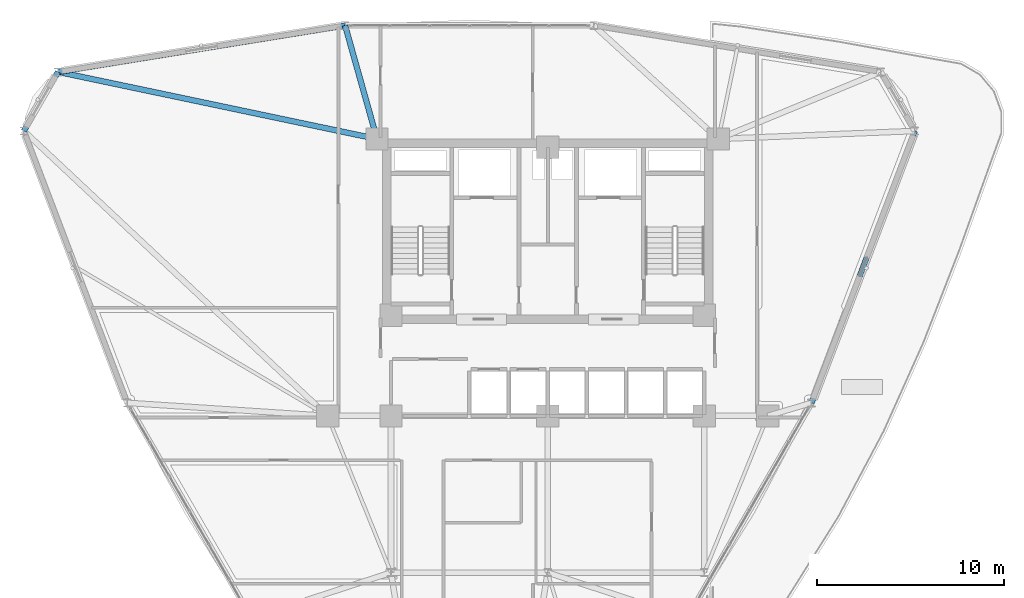
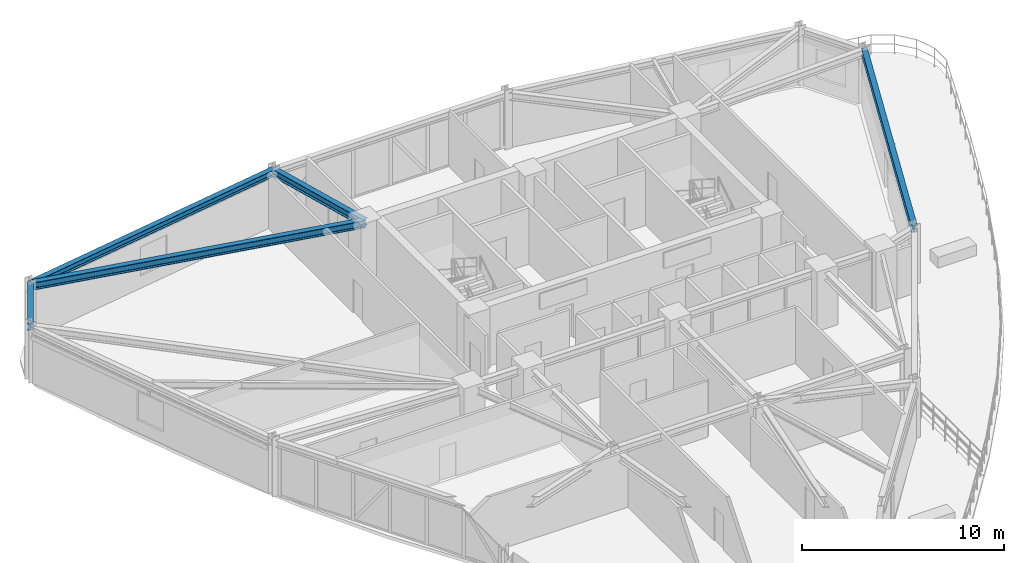
# One storey, part 9 of 18: 5 beams.
"""IFC4 building model written with IfcOpenShell, lengths in metres."""

from ifc_helpers import new_model, si_unit, derived_unit, direction, frame, origin, origin_2d, place, context, subcontext, project, spatial, i_section, extrude, source, transform, mapped, material, material_profile, profile_set, type_object, element, save


model = new_model("IFC4")

# Units and contexts
model_context = context("Model", 3, precision=1e-05, world=origin(), true_north=direction((0.0, 1.0)))
body_context = subcontext(model_context, "Body", "Model", "MODEL_VIEW")
ifc_project = project(units=[si_unit("LENGTHUNIT", "METRE"), si_unit("AREAUNIT", "SQUARE_METRE"), si_unit("VOLUMEUNIT", "CUBIC_METRE"), si_unit("PLANEANGLEUNIT", "RADIAN"), si_unit("MASSUNIT", "GRAM", prefix="KILO"), derived_unit("THERMALTRANSMITTANCEUNIT", [(si_unit("POWERUNIT", "WATT"), 1), (si_unit("LENGTHUNIT", "METRE"), -2), (si_unit("THERMODYNAMICTEMPERATUREUNIT", "KELVIN"), -1)])], contexts=[model_context])

# Site, building, storey
site_placement = place(None, origin())
site = spatial("IfcSite", under=ifc_project, at=site_placement, CompositionType="ELEMENT")
building_placement = place(site_placement, origin())
building = spatial("IfcBuilding", under=site, at=building_placement, Name="Korsvarv Bourse and Concert Hall", CompositionType="ELEMENT")
storey_placement = place(building_placement, frame((0.0, 0.0, 136.199951171875)))
storey = spatial("IfcBuildingStorey", under=building, at=storey_placement, Name="L34", CompositionType="ELEMENT", Elevation=136.199951171875)

# Beams
ifc_material = material(Name="Steel S355", Category="steel")
ifc_material_profile_1 = material_profile(ifc_material, i_section(OverallWidth=0.300048828125, OverallDepth=0.39990234375, WebThickness=0.013427734375, FlangeThickness=0.02392578125, FilletRadius=0.02099609375, at=origin_2d()), Name="HEB 400")
ifc_profile_set_1 = profile_set([ifc_material_profile_1], Name="Steel S355")
beam_type_1 = type_object("IfcBeamType", Name="BM-HEB400", PredefinedType="SPANDREL", material=ifc_profile_set_1)
shared_shape_1 = source(origin(), body_context, "Body", "SweptSolid", [
    extrude(i_section(OverallWidth=0.300048828125, OverallDepth=0.39990234375, WebThickness=0.013427734375, FlangeThickness=0.02392578125, FilletRadius=0.02099609375, at=origin_2d()), origin(), (0.0, 0.0, 1.0), 15.593017578125),
])
beam_1_placement = place(storey_placement, frame((25.13623046875, 53.3369140625, 3.199951171875), z_axis=(-0.987167652814, -0.159687273249, 0.0), x_axis=(0.159687273249, -0.987167652814, 0.0)))
element("IfcBeam", 1, at=beam_1_placement, inside=storey, type_object=beam_type_1, Name="L34 beam B-09", PredefinedType="SPANDREL", context=body_context, shape_type="MappedRepresentation", body=[
    mapped(shared_shape_1, transform((0.0, 0.0, 0.0), scale=1.0)),
])
shared_shape_2 = source(origin(), body_context, "Body", "SweptSolid", [
    extrude(i_section(OverallWidth=0.300048828125, OverallDepth=0.39990234375, WebThickness=0.013427734375, FlangeThickness=0.02392578125, FilletRadius=0.02099609375, at=origin_2d()), origin(), (0.0, 0.0, 1.0), 3.6591796875),
])
beam_2_placement = place(storey_placement, frame((9.743408203125, 50.846923828125, 3.199951171875), z_axis=(-0.499999675036, -0.866025591402, 0.0), x_axis=(0.866025591402, -0.499999675036, 0.0)))
element("IfcBeam", 2, at=beam_2_placement, inside=storey, type_object=beam_type_1, Name="L34 beam B-09", PredefinedType="SPANDREL", context=body_context, shape_type="MappedRepresentation", body=[
    mapped(shared_shape_2, transform((0.0, 0.0, 0.0), scale=1.0)),
])
shared_shape_3 = source(origin(), body_context, "Body", "SweptSolid", [
    extrude(i_section(OverallWidth=0.300048828125, OverallDepth=0.39990234375, WebThickness=0.013427734375, FlangeThickness=0.02392578125, FilletRadius=0.02099609375, at=origin_2d()), origin(), (0.0, 0.0, 1.0), 15.5927734375),
])
beam_3_placement = place(storey_placement, frame((50.14599609375, 33.1025390625, 3.199951171875), z_axis=(0.355308330885, 0.934749158868, 0.0), x_axis=(-0.934749158868, 0.355308330885, 0.0)))
element("IfcBeam", 3, at=beam_3_placement, inside=storey, type_object=beam_type_1, Name="L34 beam B-09", PredefinedType="SPANDREL", context=body_context, shape_type="MappedRepresentation", body=[
    mapped(shared_shape_3, transform((0.0, 0.0, 0.0), scale=1.0)),
])
ifc_material_profile_2 = material_profile(ifc_material, i_section(OverallWidth=0.300048828125, OverallDepth=0.449951171875, WebThickness=0.013916015625, FlangeThickness=0.02587890625, FilletRadius=0.02099609375, at=origin_2d()), Name="HEB 450")
ifc_profile_set_2 = profile_set([ifc_material_profile_2], Name="Steel S355")
beam_type_2 = type_object("IfcBeamType", Name="BM-HEB450", PredefinedType="SPANDREL", material=ifc_profile_set_2)
shared_shape_4 = source(origin(), body_context, "Body", "SweptSolid", [
    extrude(i_section(OverallWidth=0.300048828125, OverallDepth=0.449951171875, WebThickness=0.013916015625, FlangeThickness=0.02587890625, FilletRadius=0.02099609375, at=origin_2d()), origin(), (0.0, 0.0, 1.0), 6.323486328125),
])
beam_4_placement = place(storey_placement, frame((25.13623046875, 53.3369140625, 3.175048828125), z_axis=(0.271027315496, -0.962571656686, 0.0), x_axis=(0.962571656686, 0.271027315496, 0.0)))
element("IfcBeam", 4, at=beam_4_placement, inside=storey, type_object=beam_type_2, Name="L34 beam B-08", PredefinedType="SPANDREL", context=body_context, shape_type="MappedRepresentation", body=[
    mapped(shared_shape_4, transform((0.0, 0.0, 0.0), scale=1.0)),
])
shared_shape_5 = source(origin(), body_context, "Body", "SweptSolid", [
    extrude(i_section(OverallWidth=0.300048828125, OverallDepth=0.449951171875, WebThickness=0.013916015625, FlangeThickness=0.02587890625, FilletRadius=0.02099609375, at=origin_2d()), origin(), (0.0, 0.0, 1.0), 17.480712890625),
])
beam_5_placement = place(storey_placement, frame((9.743408203125, 50.846923828125, 3.175048828125), z_axis=(0.978601470044, -0.205764824076, 0.0), x_axis=(0.205764824076, 0.978601470044, 0.0)))
element("IfcBeam", 5, at=beam_5_placement, inside=storey, type_object=beam_type_2, Name="L34 beam B-08", PredefinedType="SPANDREL", context=body_context, shape_type="MappedRepresentation", body=[
    mapped(shared_shape_5, transform((0.0, 0.0, 0.0), scale=1.0)),
])

save(model, "model.ifc")
